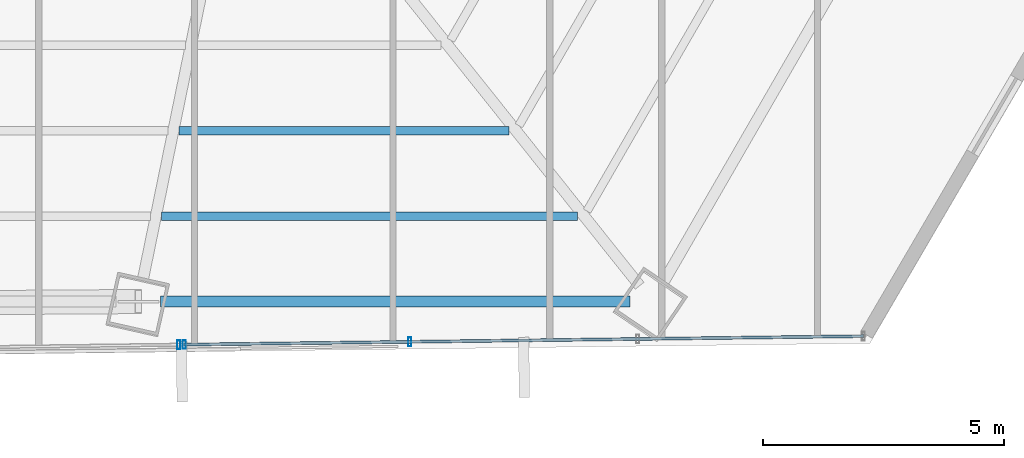
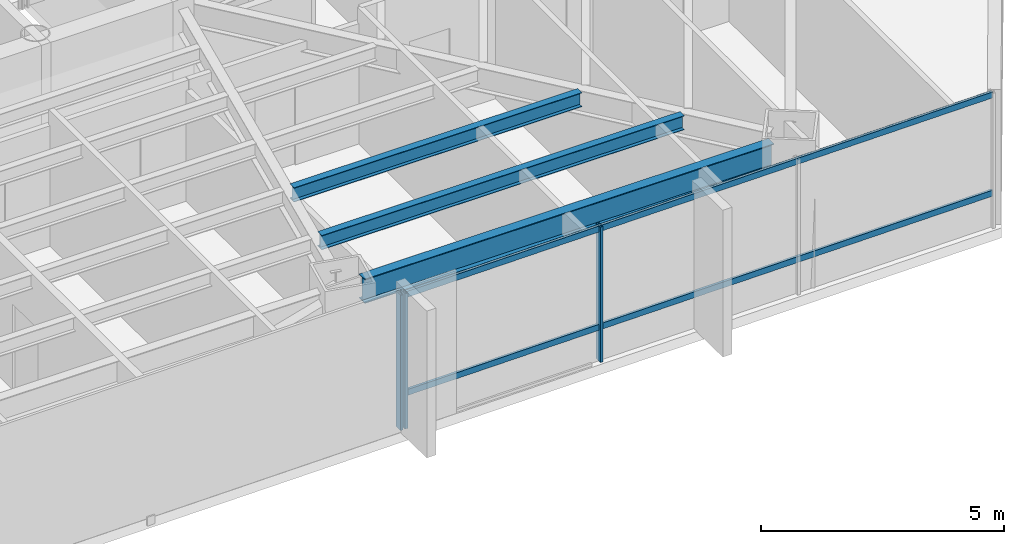
# One storey, part 14 of 35: 5 members, 3 beams, 2 elements without a shape of their own.
"""IFC4 building model written with IfcOpenShell, lengths in metres."""

from ifc_helpers import new_model, si_unit, direction, frame, origin, origin_2d, place, context, subcontext, project, spatial, hollow_rectangle, i_section, extrude, source, transform, mapped, material, material_profile, profile_set, type_object, type_shapes, element, aggregate, save


model = new_model("IFC4")

# Units and contexts
model_context = context("Model", 3, precision=1e-05, world=origin(), true_north=direction((0.0, 1.0)))
body_context = subcontext(model_context, "Body", "Model", "MODEL_VIEW")
ifc_project = project(units=[si_unit("LENGTHUNIT", "METRE"), si_unit("AREAUNIT", "SQUARE_METRE"), si_unit("VOLUMEUNIT", "CUBIC_METRE"), si_unit("PLANEANGLEUNIT", "RADIAN"), si_unit("MASSUNIT", "GRAM", prefix="KILO")], contexts=[model_context])

# Site, building, storey
site_placement = place(None, origin())
site = spatial("IfcSite", under=ifc_project, at=site_placement, CompositionType="ELEMENT")
building_placement = place(site_placement, origin())
building = spatial("IfcBuilding", under=site, at=building_placement, Name="Caelisora Broadcast Tower", CompositionType="ELEMENT")
storey_placement = place(building_placement, frame((0.0, 0.0, 123.64990234375)))
storey = spatial("IfcBuildingStorey", under=building, at=storey_placement, Name="L32", CompositionType="ELEMENT", Elevation=123.64990234375)

# Beams
ifc_material_1 = material(Name="Steel Grade 350 (AS/NZS 3679.1)", Category="steel")
ifc_material_profile_1 = material_profile(ifc_material_1, i_section(OverallWidth=0.22900390625, OverallDepth=0.611572265625, WebThickness=0.011962890625, FlangeThickness=0.01953125, at=origin_2d()), Name="Steel Grade 350 (AS/NZS 3679.1)")
ifc_profile_set_1 = profile_set([ifc_material_profile_1], Name="Steel Grade 350 (AS/NZS 3679.1)")
beam_type_1 = type_object("IfcBeamType", Name="PG03", PredefinedType="BEAM", material=ifc_profile_set_1)
shared_shape_1 = source(origin(), body_context, "Body", "SweptSolid", [
    extrude(i_section(OverallWidth=0.22900390625, OverallDepth=0.611572265625, WebThickness=0.011962890625, FlangeThickness=0.01953125, at=origin_2d()), origin(), (0.0, 0.0, 1.0), 9.730224609375),
])
type_shapes(beam_type_1, [shared_shape_1])
beam_1_placement = place(storey_placement, frame((43.784912109375, 6.77490234375, 3.09423828125), z_axis=(1.0, 0.0, 0.0), x_axis=(0.0, 1.0, 0.0)))
element("IfcBeam", 1, at=beam_1_placement, inside=storey, type_object=beam_type_1, Name="L32 beam PG03", PredefinedType="BEAM", context=body_context, shape_type="MappedRepresentation", body=[
    mapped(shared_shape_1, transform((0.0, 0.0, 0.0), scale=1.0)),
])
ifc_material_profile_2 = material_profile(ifc_material_1, i_section(OverallWidth=0.172119140625, OverallDepth=0.358642578125, WebThickness=0.008056640625, FlangeThickness=0.012939453125, at=origin_2d()), Name="Steel Grade 350 (AS/NZS 3679.1)")
ifc_profile_set_2 = profile_set([ifc_material_profile_2], Name="Steel Grade 350 (AS/NZS 3679.1)")
beam_type_2 = type_object("IfcBeamType", Name="SB02", PredefinedType="JOIST", material=ifc_profile_set_2)
shared_shape_2 = source(origin(), body_context, "Body", "SweptSolid", [
    extrude(i_section(OverallWidth=0.172119140625, OverallDepth=0.358642578125, WebThickness=0.008056640625, FlangeThickness=0.012939453125, at=origin_2d()), origin(), (0.0, 0.0, 1.0), 6.843994140625),
])
beam_2_placement = place(storey_placement, frame((44.163330078125, 10.31640625, 3.220703125), z_axis=(1.0, 0.0, 0.0), x_axis=(0.0, 1.0, 0.0)))
element("IfcBeam", 2, at=beam_2_placement, inside=storey, type_object=beam_type_2, Name="L32 beam SB02", PredefinedType="JOIST", context=body_context, shape_type="MappedRepresentation", body=[
    mapped(shared_shape_2, transform((0.0, 0.0, 0.0), scale=1.0)),
])
shared_shape_3 = source(origin(), body_context, "Body", "SweptSolid", [
    extrude(i_section(OverallWidth=0.172119140625, OverallDepth=0.358642578125, WebThickness=0.008056640625, FlangeThickness=0.012939453125, at=origin_2d()), origin(), (0.0, 0.0, 1.0), 8.619140625),
])
type_shapes(beam_type_2, [shared_shape_2, shared_shape_3])
beam_3_placement = place(storey_placement, frame((43.80078125, 8.545654296875, 3.220703125), z_axis=(1.0, 0.0, 0.0), x_axis=(0.0, 1.0, 0.0)))
element("IfcBeam", 3, at=beam_3_placement, inside=storey, type_object=beam_type_2, Name="L32 beam SB02", PredefinedType="JOIST", context=body_context, shape_type="MappedRepresentation", body=[
    mapped(shared_shape_3, transform((0.0, 0.0, 0.0), scale=1.0)),
])

# Curtain wall, members
ifc_material_2 = material(Name="Unitised Aluminium and Low-E Glass Curtain Wall", Category="glass")
curtain_wall_type_1 = type_object("IfcCurtainWallType", Name="CW-Z2", PredefinedType="NOTDEFINED", material=ifc_material_2)
curtain_wall_1_placement = place(storey_placement, origin())
curtain_wall_1 = element("IfcCurtainWall", 4, at=curtain_wall_1_placement, inside=storey, type_object=curtain_wall_type_1, Name="L32 curtain wall CW-Z2", PredefinedType="NOTDEFINED")
ifc_material_3 = material(Name="Aluminium 6063-T6 Anodised Terracotta Bronze", Category="aluminium")
ifc_material_profile_3 = material_profile(ifc_material_3, hollow_rectangle(XDim=0.06494140625, YDim=0.179931640625, WallThickness=0.00341796875, at=origin_2d()), Name="Aluminium 6063-T6 Anodised Terracotta Bronze")
ifc_profile_set_3 = profile_set([ifc_material_profile_3], Name="Aluminium 6063-T6 Anodised Terracotta Bronze")
member_type_1 = type_object("IfcMemberType", Name="CWM-02", PredefinedType="MULLION", material=ifc_profile_set_3)
shared_shape_4 = source(origin(), body_context, "Body", "SweptSolid", [
    extrude(hollow_rectangle(XDim=0.06494140625, YDim=0.179931640625, WallThickness=0.00341796875, at=origin_2d()), origin(), (0.0, 0.0, 1.0), 3.400146484375),
])
type_shapes(member_type_1, [shared_shape_4])
member_1_placement = place(storey_placement, frame((48.94921875, 5.940185546875, 0.0), z_axis=(0.0, 0.0, 1.0), x_axis=(1.0, 0.0, 0.0)))
member_1 = element("IfcMember", 5, at=member_1_placement, type_object=member_type_1, Name="L32-CW-B05 mullion #2", PredefinedType="MULLION", context=body_context, shape_type="MappedRepresentation", body=[
    mapped(shared_shape_4, transform((0.0, 0.0, 0.0), scale=1.0)),
])
member_2_placement = place(storey_placement, frame((44.27392578125, 5.8818359375, 0.0), z_axis=(0.0, 0.0, 1.0), x_axis=(1.0, 0.0, 0.0)))
member_2 = element("IfcMember", 6, at=member_2_placement, type_object=member_type_1, Name="L32-CW-B05 mullion #3", PredefinedType="MULLION", context=body_context, shape_type="MappedRepresentation", body=[
    mapped(shared_shape_4, transform((0.0, 0.0, 0.0), scale=1.0)),
])

# Curtain wall, member
ifc_material_4 = material(Name="Unitised Aluminium Insulated Shadow-Box Spandrel Curtain Wall", Category="aluminium")
curtain_wall_type_2 = type_object("IfcCurtainWallType", Name="CW-SP1", PredefinedType="NOTDEFINED", material=ifc_material_4)
curtain_wall_2_placement = place(storey_placement, origin())
curtain_wall_2 = element("IfcCurtainWall", 7, at=curtain_wall_2_placement, inside=storey, type_object=curtain_wall_type_2, Name="L32 curtain wall CW-SP1", PredefinedType="NOTDEFINED")
member_3_placement = place(storey_placement, frame((44.1640625, 5.880615234375, 0.0), z_axis=(0.0, 0.0, 1.0), x_axis=(1.0, 0.0, 0.0)))
member_3 = element("IfcMember", 8, at=member_3_placement, type_object=member_type_1, Name="L32-CW-B06 mullion #0", PredefinedType="MULLION", context=body_context, shape_type="MappedRepresentation", body=[
    mapped(shared_shape_4, transform((0.0, 0.0, 0.0), scale=1.0)),
])
aggregate(curtain_wall_2, [member_3])

# Member
ifc_material_profile_4 = material_profile(ifc_material_3, hollow_rectangle(XDim=0.06005859375, YDim=0.14990234375, WallThickness=0.00341796875, at=origin_2d()), Name="Aluminium 6063-T6 Anodised Terracotta Bronze")
ifc_profile_set_4 = profile_set([ifc_material_profile_4], Name="Aluminium 6063-T6 Anodised Terracotta Bronze")
member_type_2 = type_object("IfcMemberType", Name="CWT-02", PredefinedType="USERDEFINED", material=ifc_profile_set_4)
shared_shape_5 = source(origin(), body_context, "Body", "SweptSolid", [
    extrude(hollow_rectangle(XDim=0.06005859375, YDim=0.14990234375, WallThickness=0.00341796875, at=origin_2d()), origin(), (0.0, 0.0, 1.0), 14.0771484375),
])
type_shapes(member_type_2, [shared_shape_5])
member_4_placement = place(storey_placement, frame((58.35009765625, 6.057373046875, 0.85009765625), z_axis=(-0.999922252199, -0.012469545222, 0.0), x_axis=(0.012469545222, -0.999922252199, 0.0)))
member_4 = element("IfcMember", 9, at=member_4_placement, type_object=member_type_2, Name="L32-CW-B05 transom #1", ObjectType="TRANSOM", PredefinedType="USERDEFINED", context=body_context, shape_type="MappedRepresentation", body=[
    mapped(shared_shape_5, transform((0.0, 0.0, 0.0), scale=1.0)),
])

member_5_placement = place(storey_placement, frame((58.35009765625, 6.057373046875, 3.320068359375), z_axis=(-0.999922252199, -0.012469545222, 0.0), x_axis=(0.012469545222, -0.999922252199, 0.0)))
member_5 = element("IfcMember", 10, at=member_5_placement, type_object=member_type_2, Name="L32-CW-B05 transom #2", ObjectType="TRANSOM", PredefinedType="USERDEFINED", context=body_context, shape_type="MappedRepresentation", body=[
    mapped(shared_shape_5, transform((0.0, 0.0, 0.0), scale=1.0)),
])

aggregate(curtain_wall_1, [member_1, member_2, member_4, member_5])

save(model, "model.ifc")
